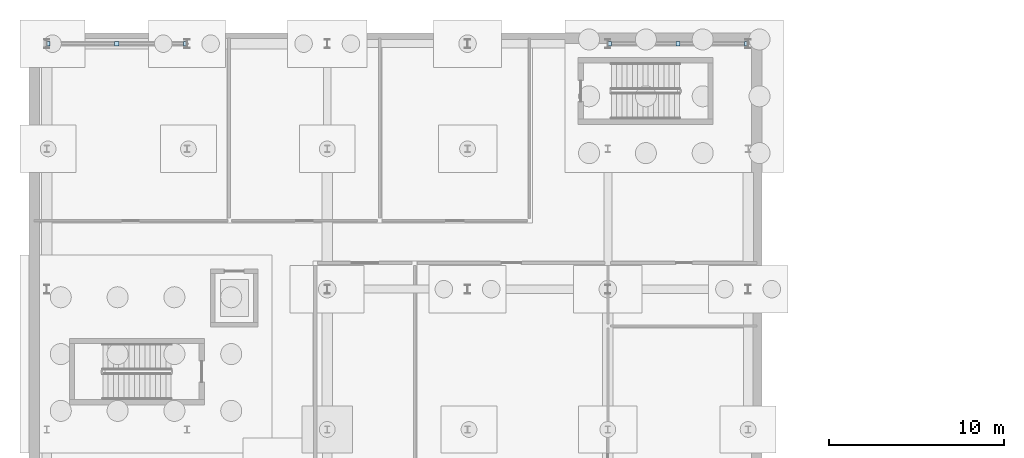
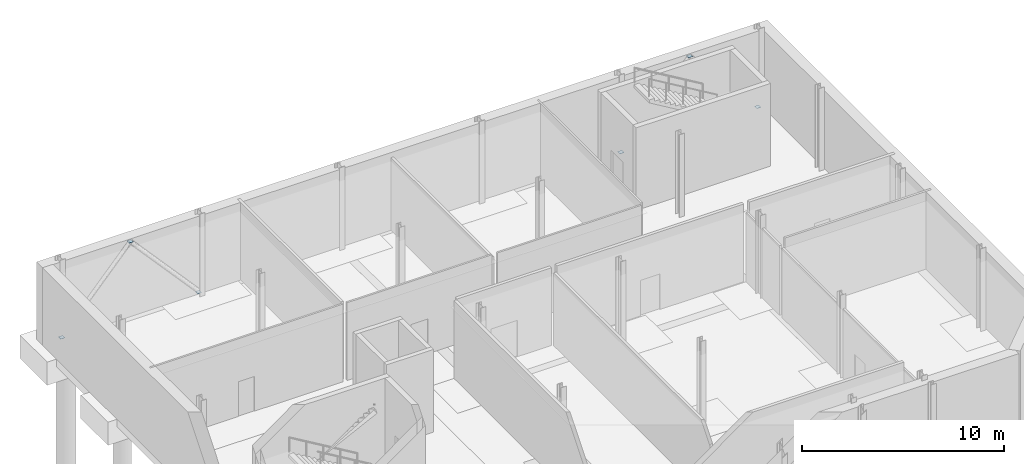
# One storey, part 21 of 47: 6 plates.
"""IFC4 building model written with IfcOpenShell, lengths in metres."""

from ifc_helpers import new_model, si_unit, direction, frame, origin, origin_2d, place, context, subcontext, project, spatial, rectangle, extrude, material, layer, layer_set, type_object, element, save


model = new_model("IFC4")

# Units and contexts
model_context = context("Model", 3, precision=1e-05, world=origin(), true_north=direction((0.0, 1.0)))
body_context = subcontext(model_context, "Body", "Model", "MODEL_VIEW")
ifc_project = project(units=[si_unit("LENGTHUNIT", "METRE"), si_unit("AREAUNIT", "SQUARE_METRE"), si_unit("VOLUMEUNIT", "CUBIC_METRE"), si_unit("PLANEANGLEUNIT", "RADIAN"), si_unit("MASSUNIT", "GRAM", prefix="KILO")], contexts=[model_context])

# Site, building, storey
site_placement = place(None, origin())
site = spatial("IfcSite", under=ifc_project, at=site_placement, CompositionType="ELEMENT")
building_placement = place(site_placement, origin())
building = spatial("IfcBuilding", under=site, at=building_placement, Name="Cymarion Research Institute", CompositionType="ELEMENT")
storey_placement = place(building_placement, frame((0.0, 0.0, -5.0)))
storey = spatial("IfcBuildingStorey", under=building, at=storey_placement, Name="B1", CompositionType="ELEMENT", Elevation=-5.0)

# Plates
ifc_material = material(Name="Steel S355", Category="steel")
ifc_layer = layer(ifc_material, 0.011962890625)
ifc_layer_set = layer_set([ifc_layer], Name="Steel S355")
plate_type = type_object("IfcPlateType", Name="STEEL NODE GUSSET PLATE CP02 12MM", PredefinedType="USERDEFINED", material=ifc_layer_set)
for number, where, z_axis, x_axis, name in (
    (1, (10.60009765625, 115.5, 4.55419921875), (0.0, 0.0, 1.0), (1.0, 0.0, 0.0), "B1 V5 chevron apex gusset plate"),
    (2, (6.680419921875, 115.5, 0.1142578125), (0.0, 0.0, 1.0), (1.0, 0.0, 0.0), "B1 V5 chevron base gusset plate #1"),
    (3, (14.519775390625, 115.5, 0.1142578125), (0.0, 0.0, 1.0), (1.0, 0.0, 0.0), "B1 V5 chevron base gusset plate #2"),
    (4, (42.60009765625, 115.5, 4.55419921875), (0.0, 0.0, 1.0), (1.0, 0.0, 0.0), "B1 V5 chevron apex gusset plate"),
    (5, (38.680419921875, 115.5, 0.1142578125), (0.0, 0.0, 1.0), (1.0, 0.0, 0.0), "B1 V5 chevron base gusset plate #1"),
    (6, (46.519775390625, 115.5, 0.1142578125), (0.0, 0.0, 1.0), (1.0, 0.0, 0.0), "B1 V5 chevron base gusset plate #2"),
):
    element("IfcPlate", number, at=place(storey_placement, frame(where, z_axis=z_axis, x_axis=x_axis)), inside=storey, type_object=plate_type, Name=name, ObjectType="GUSSET PLATE", PredefinedType="USERDEFINED", context=body_context, shape_type="SweptSolid", body=[
        extrude(rectangle(XDim=0.239990234375, YDim=0.239990234375, at=origin_2d()), origin(), (0.0, 0.0, 1.0), 0.011962890625),
    ])

save(model, "model.ifc")
